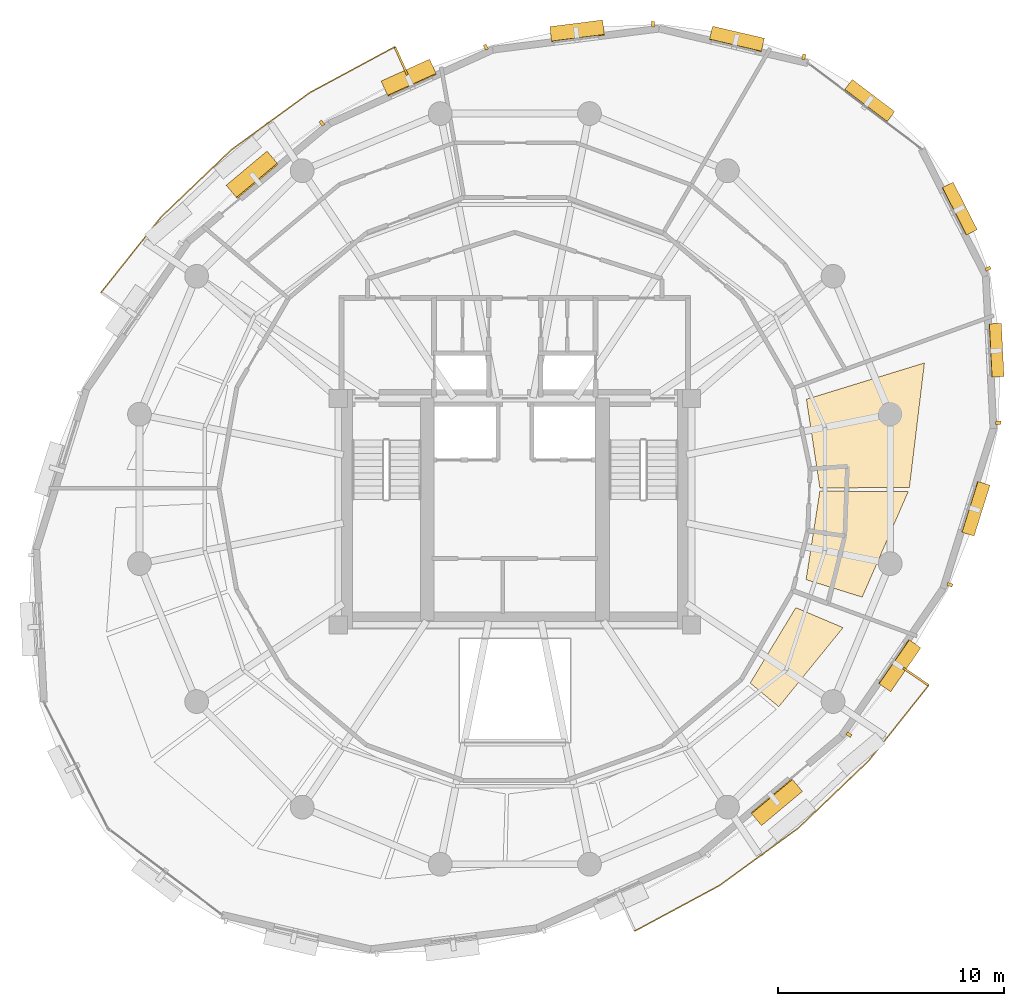
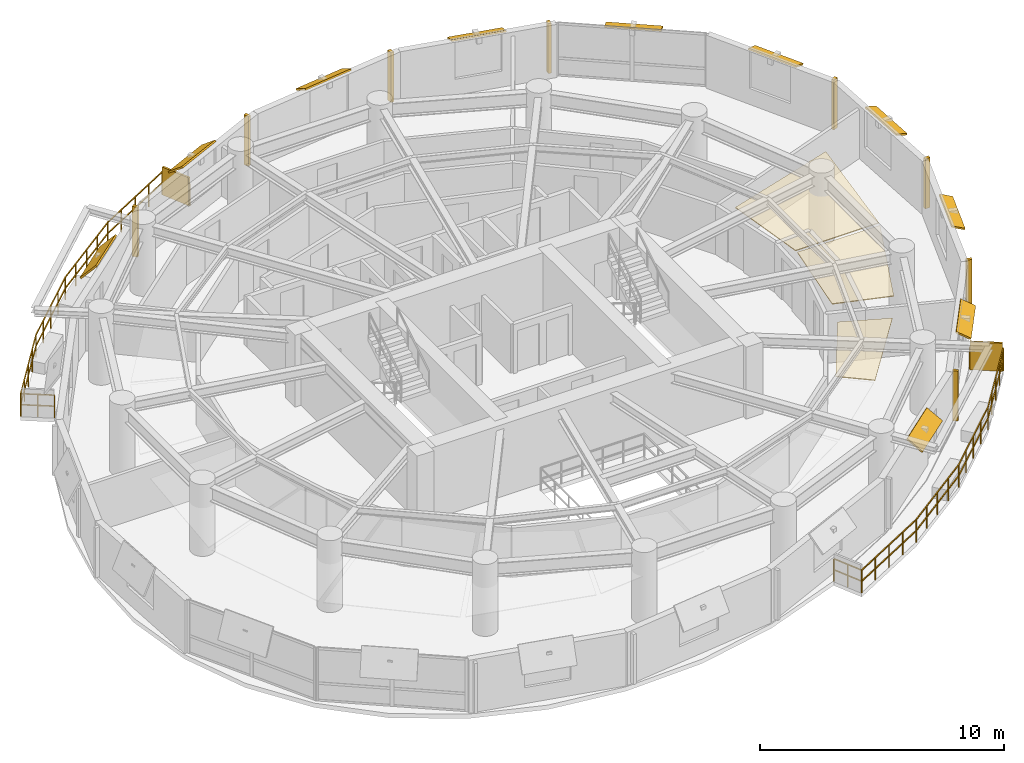
# One storey, part 12 of 12: 20 shading devices, 3 coverings, 2 railings.
"""IFC4 building model written with IfcOpenShell, lengths in metres."""

from ifc_helpers import new_model, si_unit, direction, frame, origin, origin_2d, place, context, subcontext, project, spatial, polyline, rectangle, outline, extrude, material, layer, layer_set, type_object, element, save


model = new_model("IFC4")

# Units and contexts
model_context = context("Model", 3, precision=1e-05, world=origin(), true_north=direction((0.0, 1.0)))
body_context = subcontext(model_context, "Body", "Model", "MODEL_VIEW")
ifc_project = project(units=[si_unit("LENGTHUNIT", "METRE"), si_unit("AREAUNIT", "SQUARE_METRE"), si_unit("VOLUMEUNIT", "CUBIC_METRE"), si_unit("PLANEANGLEUNIT", "RADIAN"), si_unit("MASSUNIT", "GRAM", prefix="KILO"), si_unit("THERMODYNAMICTEMPERATUREUNIT", "KELVIN"), si_unit("POWERUNIT", "WATT")], contexts=[model_context])

# Site, building, storey
site_placement = place(None, origin())
site = spatial("IfcSite", under=ifc_project, at=site_placement, CompositionType="ELEMENT")
building_placement = place(site_placement, origin())
building = spatial("IfcBuilding", under=site, at=building_placement, Name="Ocrelia Relay Tower", CompositionType="ELEMENT")
storey_placement = place(building_placement, frame((0.0, 0.0, 198.800048828125)))
storey = spatial("IfcBuildingStorey", under=building, at=storey_placement, Name="L48", CompositionType="ELEMENT", Elevation=198.800048828125)

# Coverings
ifc_material_1 = material(Name="Mineral-fiber acoustic ceiling tile", Category="gypsum")
ifc_layer_1 = layer(ifc_material_1, 0.0400390625, Name="Mineral-fiber acoustic ceiling tile")
ifc_layer_set_1 = layer_set([ifc_layer_1], Name="Mineral-fiber acoustic ceiling tile")
covering_type = type_object("IfcCoveringType", Name="COV-CEIL-ACOUSTIC", PredefinedType="CEILING", material=ifc_layer_set_1)
covering_1_placement = place(storey_placement, frame((0.0, 0.0, 2.3798828125)))
element("IfcCovering", 1, at=covering_1_placement, inside=storey, type_object=covering_type, Name="L48 Spectrum Operations Office A Suspended Ceiling 1", PredefinedType="CEILING", context=body_context, shape_type="SweptSolid", body=[
    extrude(outline(polyline([(46.860595703125, 21.994384765625), (49.33984375, 21.22216796875), (51.3720703125, 25.878662109375), (47.4697265625, 25.906005859375), (46.860595703125, 21.994384765625)])), origin(), (0.0, 0.0, 1.0), 0.0400390625),
])
covering_2_placement = place(storey_placement, frame((0.0, 0.0, 2.3798828125)))
element("IfcCovering", 2, at=covering_2_placement, inside=storey, type_object=covering_type, Name="L48 Spectrum Operations Office A Suspended Ceiling 2", PredefinedType="CEILING", context=body_context, shape_type="SweptSolid", body=[
    extrude(outline(polyline([(47.469970703125, 26.047119140625), (51.425048828125, 26.060791015625), (52.088623046875, 31.564697265625), (46.87451171875, 29.960693359375), (47.469970703125, 26.047119140625)])), origin(), (0.0, 0.0, 1.0), 0.0400390625),
])
covering_3_placement = place(storey_placement, frame((0.0, 0.0, 2.3798828125)))
element("IfcCovering", 3, at=covering_3_placement, inside=storey, type_object=covering_type, Name="L48 Monitoring Office F Suspended Ceiling 9", PredefinedType="CEILING", context=body_context, shape_type="SweptSolid", body=[
    extrude(outline(polyline([(44.390380859375, 17.427978515625), (45.656982421875, 16.38330078125), (48.49609375, 19.876708984375), (46.408447265625, 20.758544921875), (44.390380859375, 17.427978515625)])), origin(), (0.0, 0.0, 1.0), 0.0400390625),
])

# Railings
ifc_material_2 = material(Name="Steel S355 balustrade", Category="steel")
railing_type = type_object("IfcRailingType", Name="RL-EXT-GUARD-1150", PredefinedType="GUARDRAIL", material=ifc_material_2)
railing_1_placement = place(storey_placement, frame((16.872802734375, 33.8876953125, 0.0)))
element("IfcRailing", 4, at=railing_1_placement, inside=storey, type_object=railing_type, Name="L48 Loggia Balcony Guard Rail B1", PredefinedType="GUARDRAIL", context=body_context, shape_type="SweptSolid", body=[
    extrude(rectangle(XDim=0.048095703125, YDim=0.048095703125, at=origin_2d()), frame((0.0, 0.0, 1.1259765625), z_axis=(-0.824563038059, 0.56577009135, 0.0), x_axis=(-0.56577009135, -0.824563038059, 0.0)), (0.0, 0.0, 1.0), 1.393310546875),
    extrude(rectangle(XDim=0.048095703125, YDim=0.048095703125, at=origin_2d()), frame((0.0, 0.0, 0.574951171875), z_axis=(-0.824563038059, 0.56577009135, 0.0), x_axis=(-0.56577009135, -0.824563038059, 0.0)), (0.0, 0.0, 1.0), 1.393310546875),
    extrude(rectangle(XDim=0.048095703125, YDim=0.048095703125, at=origin_2d()), frame((-1.14892578125, 0.788330078125, 1.1259765625), z_axis=(0.622283814193, 0.782791705751, 0.0), x_axis=(-0.782791705751, 0.622283814193, 0.0)), (0.0, 0.0, 1.0), 2.12646484375),
    extrude(rectangle(XDim=0.048095703125, YDim=0.048095703125, at=origin_2d()), frame((-1.14892578125, 0.788330078125, 0.574951171875), z_axis=(0.622283814193, 0.782791705751, 0.0), x_axis=(-0.782791705751, 0.622283814193, 0.0)), (0.0, 0.0, 1.0), 2.12646484375),
    extrude(rectangle(XDim=0.048095703125, YDim=0.048095703125, at=origin_2d()), frame((0.17431640625, 2.452880859375, 1.1259765625), z_axis=(0.622354159497, 0.782735779275, 0.0), x_axis=(-0.782735779275, 0.622354159497, 0.0)), (0.0, 0.0, 1.0), 2.12646484375),
    extrude(rectangle(XDim=0.048095703125, YDim=0.048095703125, at=origin_2d()), frame((0.17431640625, 2.452880859375, 0.574951171875), z_axis=(0.622354159497, 0.782735779275, 0.0), x_axis=(-0.782735779275, 0.622354159497, 0.0)), (0.0, 0.0, 1.0), 2.12646484375),
    extrude(rectangle(XDim=0.048095703125, YDim=0.048095703125, at=origin_2d()), frame((1.497802734375, 4.117431640625, 1.1259765625), z_axis=(0.722495081582, 0.691376060541, 0.0), x_axis=(-0.691376060541, 0.722495081582, 0.0)), (0.0, 0.0, 1.0), 4.29931640625),
    extrude(rectangle(XDim=0.048095703125, YDim=0.048095703125, at=origin_2d()), frame((1.497802734375, 4.117431640625, 0.574951171875), z_axis=(0.722495081582, 0.691376060541, 0.0), x_axis=(-0.691376060541, 0.722495081582, 0.0)), (0.0, 0.0, 1.0), 4.29931640625),
    extrude(rectangle(XDim=0.048095703125, YDim=0.048095703125, at=origin_2d()), frame((4.60400390625, 7.08984375, 1.1259765625), z_axis=(0.808377402146, 0.588664569768, 0.0), x_axis=(-0.588664569768, 0.808377402146, 0.0)), (0.0, 0.0, 1.0), 4.299072265625),
    extrude(rectangle(XDim=0.048095703125, YDim=0.048095703125, at=origin_2d()), frame((4.60400390625, 7.08984375, 0.574951171875), z_axis=(0.808377402146, 0.588664569768, 0.0), x_axis=(-0.588664569768, 0.808377402146, 0.0)), (0.0, 0.0, 1.0), 4.299072265625),
    extrude(rectangle(XDim=0.048095703125, YDim=0.048095703125, at=origin_2d()), frame((8.079345703125, 9.62060546875, 1.1259765625), z_axis=(0.880592711552, 0.47387390344, 0.0), x_axis=(-0.47387390344, 0.880592711552, 0.0)), (0.0, 0.0, 1.0), 2.126708984375),
    extrude(rectangle(XDim=0.048095703125, YDim=0.048095703125, at=origin_2d()), frame((8.079345703125, 9.62060546875, 0.574951171875), z_axis=(0.880592711552, 0.47387390344, 0.0), x_axis=(-0.47387390344, 0.880592711552, 0.0)), (0.0, 0.0, 1.0), 2.126708984375),
    extrude(rectangle(XDim=0.048095703125, YDim=0.048095703125, at=origin_2d()), frame((9.9521484375, 10.62841796875, 1.1259765625), z_axis=(0.880614838873, 0.473832782273, 0.0), x_axis=(-0.473832782273, 0.880614838873, 0.0)), (0.0, 0.0, 1.0), 2.12646484375),
    extrude(rectangle(XDim=0.048095703125, YDim=0.048095703125, at=origin_2d()), frame((9.9521484375, 10.62841796875, 0.574951171875), z_axis=(0.880614838873, 0.473832782273, 0.0), x_axis=(-0.473832782273, 0.880614838873, 0.0)), (0.0, 0.0, 1.0), 2.12646484375),
    extrude(rectangle(XDim=0.048095703125, YDim=0.048095703125, at=origin_2d()), frame((11.82470703125, 11.635986328125, 1.1259765625), z_axis=(0.410896467548, -0.911682013071, 0.0), x_axis=(0.911682013071, 0.410896467548, 0.0)), (0.0, 0.0, 1.0), 1.393310546875),
    extrude(rectangle(XDim=0.048095703125, YDim=0.048095703125, at=origin_2d()), frame((11.82470703125, 11.635986328125, 0.574951171875), z_axis=(0.410896467548, -0.911682013071, 0.0), x_axis=(0.911682013071, 0.410896467548, 0.0)), (0.0, 0.0, 1.0), 1.393310546875),
    extrude(rectangle(XDim=0.0419921875, YDim=0.0419921875, at=origin_2d()), origin(), (0.0, 0.0, 1.0), 1.101806640625),
    extrude(rectangle(XDim=0.0419921875, YDim=0.0419921875, at=origin_2d()), frame((-0.574462890625, 0.39404296875, 0.0)), (0.0, 0.0, 1.0), 1.101806640625),
    extrude(rectangle(XDim=0.0419921875, YDim=0.0419921875, at=origin_2d()), frame((-1.14892578125, 0.788330078125, 0.0)), (0.0, 0.0, 1.0), 1.101806640625),
    extrude(rectangle(XDim=0.0419921875, YDim=0.0419921875, at=origin_2d()), frame((-0.4873046875, 1.62060546875, 0.0)), (0.0, 0.0, 1.0), 1.101806640625),
    extrude(rectangle(XDim=0.0419921875, YDim=0.0419921875, at=origin_2d()), frame((0.17431640625, 2.452880859375, 0.0)), (0.0, 0.0, 1.0), 1.101806640625),
    extrude(rectangle(XDim=0.0419921875, YDim=0.0419921875, at=origin_2d()), frame((0.8359375, 3.28515625, 0.0)), (0.0, 0.0, 1.0), 1.101806640625),
    extrude(rectangle(XDim=0.0419921875, YDim=0.0419921875, at=origin_2d()), frame((1.497802734375, 4.117431640625, 0.0)), (0.0, 0.0, 1.0), 1.101806640625),
    extrude(rectangle(XDim=0.0419921875, YDim=0.0419921875, at=origin_2d()), frame((2.2744140625, 4.860595703125, 0.0)), (0.0, 0.0, 1.0), 1.101806640625),
    extrude(rectangle(XDim=0.0419921875, YDim=0.0419921875, at=origin_2d()), frame((3.05078125, 5.603515625, 0.0)), (0.0, 0.0, 1.0), 1.101806640625),
    extrude(rectangle(XDim=0.0419921875, YDim=0.0419921875, at=origin_2d()), frame((3.827392578125, 6.3466796875, 0.0)), (0.0, 0.0, 1.0), 1.101806640625),
    extrude(rectangle(XDim=0.0419921875, YDim=0.0419921875, at=origin_2d()), frame((4.60400390625, 7.08984375, 0.0)), (0.0, 0.0, 1.0), 1.101806640625),
    extrude(rectangle(XDim=0.0419921875, YDim=0.0419921875, at=origin_2d()), frame((5.472900390625, 7.72265625, 0.0)), (0.0, 0.0, 1.0), 1.101806640625),
    extrude(rectangle(XDim=0.0419921875, YDim=0.0419921875, at=origin_2d()), frame((6.341796875, 8.355224609375, 0.0)), (0.0, 0.0, 1.0), 1.101806640625),
    extrude(rectangle(XDim=0.0419921875, YDim=0.0419921875, at=origin_2d()), frame((7.21044921875, 8.98779296875, 0.0)), (0.0, 0.0, 1.0), 1.101806640625),
    extrude(rectangle(XDim=0.0419921875, YDim=0.0419921875, at=origin_2d()), frame((8.079345703125, 9.62060546875, 0.0)), (0.0, 0.0, 1.0), 1.101806640625),
    extrude(rectangle(XDim=0.0419921875, YDim=0.0419921875, at=origin_2d()), frame((9.015625, 10.12451171875, 0.0)), (0.0, 0.0, 1.0), 1.101806640625),
    extrude(rectangle(XDim=0.0419921875, YDim=0.0419921875, at=origin_2d()), frame((9.9521484375, 10.62841796875, 0.0)), (0.0, 0.0, 1.0), 1.101806640625),
    extrude(rectangle(XDim=0.0419921875, YDim=0.0419921875, at=origin_2d()), frame((10.888427734375, 11.13232421875, 0.0)), (0.0, 0.0, 1.0), 1.101806640625),
    extrude(rectangle(XDim=0.0419921875, YDim=0.0419921875, at=origin_2d()), frame((11.82470703125, 11.635986328125, 0.0)), (0.0, 0.0, 1.0), 1.101806640625),
    extrude(rectangle(XDim=0.0419921875, YDim=0.0419921875, at=origin_2d()), frame((12.11083984375, 11.0009765625, 0.0)), (0.0, 0.0, 1.0), 1.101806640625),
    extrude(rectangle(XDim=0.0419921875, YDim=0.0419921875, at=origin_2d()), frame((12.397216796875, 10.36572265625, 0.0)), (0.0, 0.0, 1.0), 1.101806640625),
])
railing_2_placement = place(storey_placement, frame((51.127197265625, 18.1123046875, 0.0)))
element("IfcRailing", 5, at=railing_2_placement, inside=storey, type_object=railing_type, Name="L48 Loggia Balcony Guard Rail B2", PredefinedType="GUARDRAIL", context=body_context, shape_type="SweptSolid", body=[
    extrude(rectangle(XDim=0.048095703125, YDim=0.048095703125, at=origin_2d()), frame((0.0, 0.0, 1.1259765625), z_axis=(0.824563038059, -0.56577009135, 0.0), x_axis=(0.56577009135, 0.824563038059, 0.0)), (0.0, 0.0, 1.0), 1.393310546875),
    extrude(rectangle(XDim=0.048095703125, YDim=0.048095703125, at=origin_2d()), frame((0.0, 0.0, 0.574951171875), z_axis=(0.824563038059, -0.56577009135, 0.0), x_axis=(0.56577009135, 0.824563038059, 0.0)), (0.0, 0.0, 1.0), 1.393310546875),
    extrude(rectangle(XDim=0.048095703125, YDim=0.048095703125, at=origin_2d()), frame((1.14892578125, -0.788330078125, 1.1259765625), z_axis=(-0.622227890321, -0.782836159427, 0.0), x_axis=(0.782836159427, -0.622227890321, 0.0)), (0.0, 0.0, 1.0), 2.126708984375),
    extrude(rectangle(XDim=0.048095703125, YDim=0.048095703125, at=origin_2d()), frame((1.14892578125, -0.788330078125, 0.574951171875), z_axis=(-0.622227890321, -0.782836159427, 0.0), x_axis=(0.782836159427, -0.622227890321, 0.0)), (0.0, 0.0, 1.0), 2.126708984375),
    extrude(rectangle(XDim=0.048095703125, YDim=0.048095703125, at=origin_2d()), frame((-0.17431640625, -2.453125, 1.1259765625), z_axis=(-0.622410088575, -0.782691306736, 0.0), x_axis=(0.782691306736, -0.622410088575, 0.0)), (0.0, 0.0, 1.0), 2.12646484375),
    extrude(rectangle(XDim=0.048095703125, YDim=0.048095703125, at=origin_2d()), frame((-0.17431640625, -2.453125, 0.574951171875), z_axis=(-0.622410088575, -0.782691306736, 0.0), x_axis=(0.782691306736, -0.622410088575, 0.0)), (0.0, 0.0, 1.0), 2.12646484375),
    extrude(rectangle(XDim=0.048095703125, YDim=0.048095703125, at=origin_2d()), frame((-1.497802734375, -4.117431640625, 1.1259765625), z_axis=(-0.722495081582, -0.691376060541, 0.0), x_axis=(0.691376060541, -0.722495081582, 0.0)), (0.0, 0.0, 1.0), 4.29931640625),
    extrude(rectangle(XDim=0.048095703125, YDim=0.048095703125, at=origin_2d()), frame((-1.497802734375, -4.117431640625, 0.574951171875), z_axis=(-0.722495081582, -0.691376060541, 0.0), x_axis=(0.691376060541, -0.722495081582, 0.0)), (0.0, 0.0, 1.0), 4.29931640625),
    extrude(rectangle(XDim=0.048095703125, YDim=0.048095703125, at=origin_2d()), frame((-4.60400390625, -7.08984375, 1.1259765625), z_axis=(-0.808377402146, -0.588664569768, 0.0), x_axis=(0.588664569768, -0.808377402146, 0.0)), (0.0, 0.0, 1.0), 4.299072265625),
    extrude(rectangle(XDim=0.048095703125, YDim=0.048095703125, at=origin_2d()), frame((-4.60400390625, -7.08984375, 0.574951171875), z_axis=(-0.808377402146, -0.588664569768, 0.0), x_axis=(0.588664569768, -0.808377402146, 0.0)), (0.0, 0.0, 1.0), 4.299072265625),
    extrude(rectangle(XDim=0.048095703125, YDim=0.048095703125, at=origin_2d()), frame((-8.079345703125, -9.62060546875, 1.1259765625), z_axis=(-0.880566929674, -0.473921810391, 0.0), x_axis=(0.473921810391, -0.880566929674, 0.0)), (0.0, 0.0, 1.0), 2.12646484375),
    extrude(rectangle(XDim=0.048095703125, YDim=0.048095703125, at=origin_2d()), frame((-8.079345703125, -9.62060546875, 0.574951171875), z_axis=(-0.880566929674, -0.473921810391, 0.0), x_axis=(0.473921810391, -0.880566929674, 0.0)), (0.0, 0.0, 1.0), 2.12646484375),
    extrude(rectangle(XDim=0.048095703125, YDim=0.048095703125, at=origin_2d()), frame((-9.951904296875, -10.62841796875, 1.1259765625), z_axis=(-0.880640612467, -0.47378487911, 0.0), x_axis=(0.47378487911, -0.880640612467, 0.0)), (0.0, 0.0, 1.0), 2.126708984375),
    extrude(rectangle(XDim=0.048095703125, YDim=0.048095703125, at=origin_2d()), frame((-9.951904296875, -10.62841796875, 0.574951171875), z_axis=(-0.880640612467, -0.47378487911, 0.0), x_axis=(0.47378487911, -0.880640612467, 0.0)), (0.0, 0.0, 1.0), 2.126708984375),
    extrude(rectangle(XDim=0.048095703125, YDim=0.048095703125, at=origin_2d()), frame((-11.82470703125, -11.635986328125, 1.1259765625), z_axis=(-0.410896467548, 0.911682013071, 0.0), x_axis=(-0.911682013071, -0.410896467548, 0.0)), (0.0, 0.0, 1.0), 1.393310546875),
    extrude(rectangle(XDim=0.048095703125, YDim=0.048095703125, at=origin_2d()), frame((-11.82470703125, -11.635986328125, 0.574951171875), z_axis=(-0.410896467548, 0.911682013071, 0.0), x_axis=(-0.911682013071, -0.410896467548, 0.0)), (0.0, 0.0, 1.0), 1.393310546875),
    extrude(rectangle(XDim=0.0419921875, YDim=0.0419921875, at=origin_2d()), origin(), (0.0, 0.0, 1.0), 1.101806640625),
    extrude(rectangle(XDim=0.0419921875, YDim=0.0419921875, at=origin_2d()), frame((0.574462890625, -0.39404296875, 0.0)), (0.0, 0.0, 1.0), 1.101806640625),
    extrude(rectangle(XDim=0.0419921875, YDim=0.0419921875, at=origin_2d()), frame((1.14892578125, -0.788330078125, 0.0)), (0.0, 0.0, 1.0), 1.101806640625),
    extrude(rectangle(XDim=0.0419921875, YDim=0.0419921875, at=origin_2d()), frame((0.4873046875, -1.62060546875, 0.0)), (0.0, 0.0, 1.0), 1.101806640625),
    extrude(rectangle(XDim=0.0419921875, YDim=0.0419921875, at=origin_2d()), frame((-0.17431640625, -2.453125, 0.0)), (0.0, 0.0, 1.0), 1.101806640625),
    extrude(rectangle(XDim=0.0419921875, YDim=0.0419921875, at=origin_2d()), frame((-0.8359375, -3.28515625, 0.0)), (0.0, 0.0, 1.0), 1.101806640625),
    extrude(rectangle(XDim=0.0419921875, YDim=0.0419921875, at=origin_2d()), frame((-1.497802734375, -4.117431640625, 0.0)), (0.0, 0.0, 1.0), 1.101806640625),
    extrude(rectangle(XDim=0.0419921875, YDim=0.0419921875, at=origin_2d()), frame((-2.2744140625, -4.860595703125, 0.0)), (0.0, 0.0, 1.0), 1.101806640625),
    extrude(rectangle(XDim=0.0419921875, YDim=0.0419921875, at=origin_2d()), frame((-3.05078125, -5.603515625, 0.0)), (0.0, 0.0, 1.0), 1.101806640625),
    extrude(rectangle(XDim=0.0419921875, YDim=0.0419921875, at=origin_2d()), frame((-3.827392578125, -6.3466796875, 0.0)), (0.0, 0.0, 1.0), 1.101806640625),
    extrude(rectangle(XDim=0.0419921875, YDim=0.0419921875, at=origin_2d()), frame((-4.60400390625, -7.08984375, 0.0)), (0.0, 0.0, 1.0), 1.101806640625),
    extrude(rectangle(XDim=0.0419921875, YDim=0.0419921875, at=origin_2d()), frame((-5.472900390625, -7.72265625, 0.0)), (0.0, 0.0, 1.0), 1.101806640625),
    extrude(rectangle(XDim=0.0419921875, YDim=0.0419921875, at=origin_2d()), frame((-6.341796875, -8.355224609375, 0.0)), (0.0, 0.0, 1.0), 1.101806640625),
    extrude(rectangle(XDim=0.0419921875, YDim=0.0419921875, at=origin_2d()), frame((-7.21044921875, -8.98779296875, 0.0)), (0.0, 0.0, 1.0), 1.101806640625),
    extrude(rectangle(XDim=0.0419921875, YDim=0.0419921875, at=origin_2d()), frame((-8.079345703125, -9.62060546875, 0.0)), (0.0, 0.0, 1.0), 1.101806640625),
    extrude(rectangle(XDim=0.0419921875, YDim=0.0419921875, at=origin_2d()), frame((-9.015625, -10.12451171875, 0.0)), (0.0, 0.0, 1.0), 1.101806640625),
    extrude(rectangle(XDim=0.0419921875, YDim=0.0419921875, at=origin_2d()), frame((-9.951904296875, -10.62841796875, 0.0)), (0.0, 0.0, 1.0), 1.101806640625),
    extrude(rectangle(XDim=0.0419921875, YDim=0.0419921875, at=origin_2d()), frame((-10.88818359375, -11.13232421875, 0.0)), (0.0, 0.0, 1.0), 1.101806640625),
    extrude(rectangle(XDim=0.0419921875, YDim=0.0419921875, at=origin_2d()), frame((-11.82470703125, -11.635986328125, 0.0)), (0.0, 0.0, 1.0), 1.101806640625),
    extrude(rectangle(XDim=0.0419921875, YDim=0.0419921875, at=origin_2d()), frame((-12.11083984375, -11.0009765625, 0.0)), (0.0, 0.0, 1.0), 1.101806640625),
    extrude(rectangle(XDim=0.0419921875, YDim=0.0419921875, at=origin_2d()), frame((-12.397216796875, -10.36572265625, 0.0)), (0.0, 0.0, 1.0), 1.101806640625),
])

# Shading devices
ifc_material_3 = material(Name="Perforated oxide terracotta solar screen", Category="masonry")
ifc_layer_2 = layer(ifc_material_3, 0.090087890625, Name="Perforated oxide terracotta solar screen")
ifc_layer_set_2 = layer_set([ifc_layer_2], Name="Perforated oxide terracotta solar screen")
shading_device_type_1 = type_object("IfcShadingDeviceType", Name="SH-BALC-SCREEN", PredefinedType="USERDEFINED", material=ifc_layer_set_2)
for number, where, z_axis, x_axis, name in (
    (6, (28.983642578125, 44.888671875, 0.0), (0.0, 0.0, 1.0), (-0.410767461072, 0.911740145505, 0.0), "L48 Balcony Perforated Terracotta Screen B1-1"),
    (7, (51.70166015625, 17.718017578125, 0.0), (0.0, 0.0, 1.0), (0.824556678115, -0.56577936033, 0.0), "L48 Balcony Perforated Terracotta Screen B2-2"),
):
    element("IfcShadingDevice", number, at=place(storey_placement, frame(where, z_axis=z_axis, x_axis=x_axis)), inside=storey, type_object=shading_device_type_1, Name=name, ObjectType="SCREEN", PredefinedType="USERDEFINED", context=body_context, shape_type="SweptSolid", body=[
        extrude(rectangle(XDim=1.340087890625, YDim=0.090087890625, at=origin_2d()), origin(), (0.0, 0.0, 1.0), 1.39990234375),
    ])
ifc_material_4 = material(Name="Extruded oxide terracotta vertical baguette", Category="masonry")
shading_device_type_2 = type_object("IfcShadingDeviceType", Name="SH-TERR-BAGUETTE", PredefinedType="USERDEFINED", material=ifc_material_4)
for number, where, z_axis, x_axis, name in (
    (8, (46.76025390625, 45.07958984375, 0.079833984375), (0.0, 0.0, 1.0), (-0.974147502507, 0.225912911006, 0.0), "L48 Oxide Terracotta Vertical Baguette 02"),
    (9, (40.104248046875, 46.523193359375, 0.079833984375), (0.0, 0.0, 1.0), (-0.992103669772, -0.125420526332, 0.0), "L48 Oxide Terracotta Vertical Baguette 03"),
    (10, (32.71875, 45.508056640625, 0.079833984375), (0.0, 0.0, 1.0), (-0.911106794906, -0.412170363171, 0.0), "L48 Oxide Terracotta Vertical Baguette 04"),
    (11, (25.47802734375, 42.152587890625, 0.079833984375), (0.0, 0.0, 1.0), (-0.767167255551, -0.641447115521, 0.0), "L48 Oxide Terracotta Vertical Baguette 05"),
    (12, (48.750244140625, 15.150146484375, 0.079833984375), (0.0, 0.0, 1.0), (0.567002541397, 0.823716042122, 0.0), "L48 Oxide Terracotta Vertical Baguette 15"),
    (13, (53.210693359375, 21.772705078125, 0.079833984375), (0.0, 0.0, 1.0), (0.299115406191, 0.954216942723, 0.0), "L48 Oxide Terracotta Vertical Baguette 16"),
    (14, (55.35009765625, 28.922607421875, 0.079833984375), (0.0, 0.0, 1.0), (-0.049828920053, 0.998757767793, 0.0), "L48 Oxide Terracotta Vertical Baguette 17"),
    (15, (54.892578125, 35.72607421875, 0.079833984375), (0.0, 0.0, 1.0), (-0.4527377224, 0.891643737552, 0.0), "L48 Oxide Terracotta Vertical Baguette 18"),
):
    element("IfcShadingDevice", number, at=place(storey_placement, frame(where, z_axis=z_axis, x_axis=x_axis)), inside=storey, type_object=shading_device_type_2, Name=name, ObjectType="BAGUETTE", PredefinedType="USERDEFINED", context=body_context, shape_type="SweptSolid", body=[
        extrude(rectangle(XDim=0.139892578125, YDim=0.239990234375, at=origin_2d()), origin(), (0.0, 0.0, 1.0), 2.5),
    ])
ifc_material_5 = material(Name="Extruded oxide terracotta fin", Category="masonry")
ifc_layer_3 = layer(ifc_material_5, 0.080078125, Name="Extruded oxide terracotta fin")
ifc_layer_set_3 = layer_set([ifc_layer_3], Name="Extruded oxide terracotta fin")
shading_device_type_3 = type_object("IfcShadingDeviceType", Name="SH-VISOR-FIN-MED", PredefinedType="USERDEFINED", material=ifc_layer_set_3)
shading_device_1_placement = place(storey_placement, frame((29.329833984375, 44.13427734375, 2.46826171875), z_axis=(-0.251540745139, 0.556033384663, 0.792183140868), x_axis=(-0.911106794906, -0.412170363171, 0.0)))
element("IfcShadingDevice", 16, at=shading_device_1_placement, inside=storey, type_object=shading_device_type_3, Name="L48 Canted Terracotta Sun-Visor Fin 04", ObjectType="FIN", PredefinedType="USERDEFINED", context=body_context, shape_type="SweptSolid", body=[
    extrude(rectangle(XDim=2.35009765625, YDim=0.876953125, at=origin_2d()), origin(), (0.0, 0.0, 1.0), 0.080078125),
])
shading_device_2_placement = place(storey_placement, frame((22.419677734375, 39.849609375, 2.473388671875), z_axis=(-0.477959501937, 0.571636960388, 0.666922709185), x_axis=(-0.767167255551, -0.641447115521, 0.0)))
element("IfcShadingDevice", 17, at=shading_device_2_placement, inside=storey, type_object=shading_device_type_3, Name="L48 Canted Terracotta Sun-Visor Fin 05", ObjectType="FIN", PredefinedType="USERDEFINED", context=body_context, shape_type="SweptSolid", body=[
    extrude(rectangle(XDim=2.35009765625, YDim=1.052978515625, at=origin_2d()), origin(), (0.0, 0.0, 1.0), 0.080078125),
])
shading_device_3_placement = place(storey_placement, frame((45.547119140625, 12.189697265625, 2.467529296875), z_axis=(0.375491766519, -0.449086107074, 0.810757424702), x_axis=(0.767167255551, 0.641447115521, 0.0)))
element("IfcShadingDevice", 18, at=shading_device_3_placement, inside=storey, type_object=shading_device_type_3, Name="L48 Canted Terracotta Sun-Visor Fin 14", ObjectType="FIN", PredefinedType="USERDEFINED", context=body_context, shape_type="SweptSolid", body=[
    extrude(rectangle(XDim=2.35009765625, YDim=0.846923828125, at=origin_2d()), origin(), (0.0, 0.0, 1.0), 0.080078125),
])
ifc_layer_4 = layer(ifc_material_5, 0.080078125, Name="Extruded oxide terracotta fin")
ifc_layer_set_4 = layer_set([ifc_layer_4], Name="Extruded oxide terracotta fin")
shading_device_type_4 = type_object("IfcShadingDeviceType", Name="SH-VISOR-FIN-SHAL", PredefinedType="USERDEFINED", material=ifc_layer_set_4)
shading_device_4_placement = place(storey_placement, frame((49.65625, 43.133056640625, 2.46240234375), z_axis=(0.204818145735, 0.270625732476, 0.940644056006), x_axis=(-0.79737761196, 0.603480690615, 0.0)))
element("IfcShadingDevice", 19, at=shading_device_4_placement, inside=storey, type_object=shading_device_type_4, Name="L48 Canted Terracotta Sun-Visor Fin 01", ObjectType="FIN", PredefinedType="USERDEFINED", context=body_context, shape_type="SweptSolid", body=[
    extrude(rectangle(XDim=2.35009765625, YDim=0.5810546875, at=origin_2d()), origin(), (0.0, 0.0, 1.0), 0.080078125),
])
shading_device_5_placement = place(storey_placement, frame((43.802734375, 45.8515625, 2.463134765625), z_axis=(0.089286403189, 0.38500732998, 0.918584396813), x_axis=(-0.974147502507, 0.225912911006, 0.0)))
element("IfcShadingDevice", 20, at=shading_device_5_placement, inside=storey, type_object=shading_device_type_4, Name="L48 Canted Terracotta Sun-Visor Fin 02", ObjectType="FIN", PredefinedType="USERDEFINED", context=body_context, shape_type="SweptSolid", body=[
    extrude(rectangle(XDim=2.35009765625, YDim=0.637939453125, at=origin_2d()), origin(), (0.0, 0.0, 1.0), 0.080078125),
])
shading_device_6_placement = place(storey_placement, frame((36.75341796875, 46.2041015625, 2.465087890625), z_axis=(-0.060843364907, 0.481284263201, 0.874450423376), x_axis=(-0.992103669772, -0.125420526332, 0.0)))
element("IfcShadingDevice", 21, at=shading_device_6_placement, inside=storey, type_object=shading_device_type_4, Name="L48 Canted Terracotta Sun-Visor Fin 03", ObjectType="FIN", PredefinedType="USERDEFINED", context=body_context, shape_type="SweptSolid", body=[
    extrude(rectangle(XDim=2.35009765625, YDim=0.73388671875, at=origin_2d()), origin(), (0.0, 0.0, 1.0), 0.080078125),
])
shading_device_7_placement = place(storey_placement, frame((50.978759765625, 18.210205078125, 2.464111328125), z_axis=(0.367025564097, -0.252640979365, 0.895245648325), x_axis=(0.567002541397, 0.823716042122, 0.0)))
element("IfcShadingDevice", 22, at=shading_device_7_placement, inside=storey, type_object=shading_device_type_4, Name="L48 Canted Terracotta Sun-Visor Fin 15", ObjectType="FIN", PredefinedType="USERDEFINED", context=body_context, shape_type="SweptSolid", body=[
    extrude(rectangle(XDim=2.35009765625, YDim=0.69091796875, at=origin_2d()), origin(), (0.0, 0.0, 1.0), 0.080078125),
])
shading_device_8_placement = place(storey_placement, frame((54.3388671875, 25.132080078125, 2.462646484375), z_axis=(0.33729168476, -0.105729771475, 0.93544403083), x_axis=(0.299115406191, 0.954216942723, 0.0)))
element("IfcShadingDevice", 23, at=shading_device_8_placement, inside=storey, type_object=shading_device_type_4, Name="L48 Canted Terracotta Sun-Visor Fin 16", ObjectType="FIN", PredefinedType="USERDEFINED", context=body_context, shape_type="SweptSolid", body=[
    extrude(rectangle(XDim=2.35009765625, YDim=0.594970703125, at=origin_2d()), origin(), (0.0, 0.0, 1.0), 0.080078125),
])
shading_device_9_placement = place(storey_placement, frame((55.254638671875, 32.126220703125, 2.4619140625), z_axis=(0.31343689949, 0.015637647796, 0.949480265203), x_axis=(-0.049828920053, 0.998757767793, 0.0)))
element("IfcShadingDevice", 24, at=shading_device_9_placement, inside=storey, type_object=shading_device_type_4, Name="L48 Canted Terracotta Sun-Visor Fin 17", ObjectType="FIN", PredefinedType="USERDEFINED", context=body_context, shape_type="SweptSolid", body=[
    extrude(rectangle(XDim=2.35009765625, YDim=0.554931640625, at=origin_2d()), origin(), (0.0, 0.0, 1.0), 0.080078125),
])
shading_device_10_placement = place(storey_placement, frame((53.629150390625, 38.37109375, 2.4619140625), z_axis=(0.278343634089, 0.141330732931, 0.950026549782), x_axis=(-0.4527377224, 0.891643737552, 0.0)))
element("IfcShadingDevice", 25, at=shading_device_10_placement, inside=storey, type_object=shading_device_type_4, Name="L48 Canted Terracotta Sun-Visor Fin 18", ObjectType="FIN", PredefinedType="USERDEFINED", context=body_context, shape_type="SweptSolid", body=[
    extrude(rectangle(XDim=2.35009765625, YDim=0.552978515625, at=origin_2d()), origin(), (0.0, 0.0, 1.0), 0.080078125),
])

save(model, "model.ifc")
